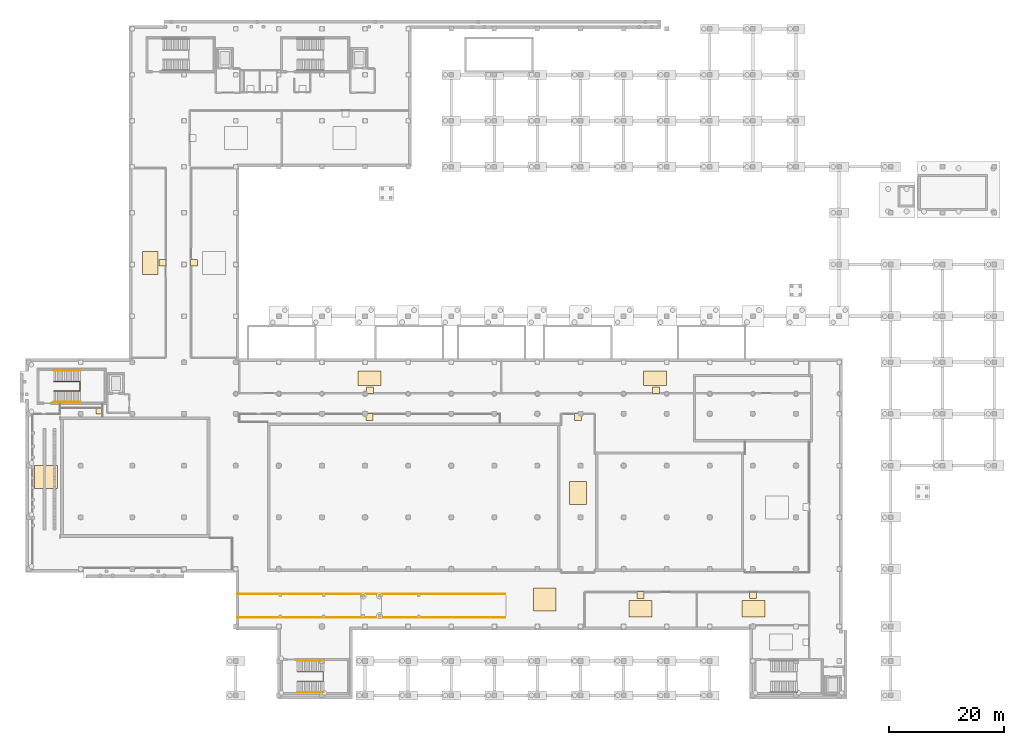
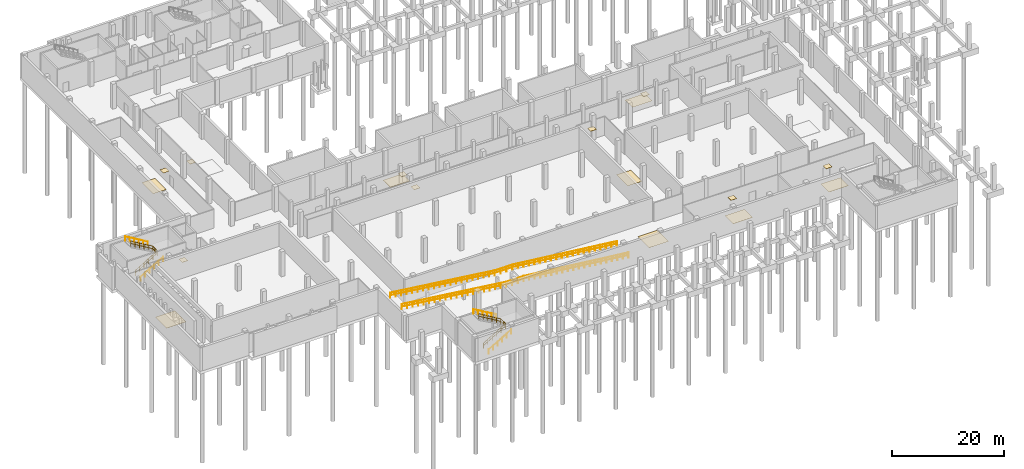
# One storey, part 17 of 19: 17 coverings, 8 railings.
"""IFC4 building model written with IfcOpenShell, lengths in metres."""

from ifc_helpers import new_model, si_unit, direction, frame, origin, origin_2d, place, context, subcontext, project, spatial, rectangle, circle, extrude, material, layer, layer_set, type_object, element, save


model = new_model("IFC4")

# Units and contexts
model_context = context("Model", 3, precision=1e-05, world=origin(), true_north=direction((0.0, 1.0)))
body_context = subcontext(model_context, "Body", "Model", "MODEL_VIEW")
ifc_project = project(units=[si_unit("LENGTHUNIT", "METRE"), si_unit("AREAUNIT", "SQUARE_METRE"), si_unit("VOLUMEUNIT", "CUBIC_METRE"), si_unit("PLANEANGLEUNIT", "RADIAN"), si_unit("MASSUNIT", "GRAM", prefix="KILO")], contexts=[model_context])

# Site, building, storey
site_placement = place(None, origin())
site = spatial("IfcSite", under=ifc_project, at=site_placement, CompositionType="ELEMENT")
building_placement = place(site_placement, origin())
building = spatial("IfcBuilding", under=site, at=building_placement, Name="Vourika Railside Aquatics Centre", CompositionType="ELEMENT")
storey_placement = place(building_placement, frame((0.0, 0.0, -5.39990234375)))
storey = spatial("IfcBuildingStorey", under=building, at=storey_placement, Name="B1", CompositionType="ELEMENT", Elevation=-5.39990234375)

# Coverings
ifc_material_1 = material(Name="Perforated moisture-resistant acoustic gypsum ceiling")
ifc_layer_1 = layer(ifc_material_1, 0.02490234375, Name="COV-CEIL-25")
ifc_layer_set_1 = layer_set([ifc_layer_1], Name="Perforated moisture-resistant acoustic gypsum ceiling")
covering_type_1 = type_object("IfcCoveringType", Name="COV-CEIL-25", PredefinedType="CEILING", material=ifc_layer_set_1)
for number, where, z_axis, x_axis, name in (
    (1, (106.449951171875, 17.47998046875, 2.637451171875), (0.0, 0.0, 1.0), (1.0, 0.0, 0.0), "Bunded Dosing Reagents and Chemical Store Acoustic Ceiling Panel"),
    (2, (126.0400390625, 17.47998046875, 2.637451171875), (0.0, 0.0, 1.0), (1.0, 0.0, 0.0), "Aquatic Maintenance Equipment Store Acoustic Ceiling Panel"),
    (3, (59.300048828125, 48.47998046875, 2.637451171875), (0.0, 0.0, 1.0), (1.0, 0.0, 0.0), "Competition Pool Sand and Ultrafiltration Hall Acoustic Ceiling Panel"),
    (4, (95.550048828125, 48.47998046875, 2.637451171875), (0.0, 0.0, 1.0), (1.0, 0.0, 0.0), "Ozone Reactors and UV Disinfection Plant Acoustic Ceiling Panel"),
    (5, (109.110107421875, 53.1201171875, 2.637451171875), (0.0, 0.0, 1.0), (1.0, 0.0, 0.0), "Natatorium Dehumidification AHU Plant East Acoustic Ceiling Panel"),
    (6, (59.360107421875, 53.1201171875, 2.637451171875), (0.0, 0.0, 1.0), (1.0, 0.0, 0.0), "Natatorium Dehumidification AHU Plant West Acoustic Ceiling Panel"),
    (7, (12.280029296875, 49.590087890625, 2.637451171875), (0.0, 0.0, 1.0), (1.0, 0.0, 0.0), "Diving Well Filtration and Balance Tank Hall Acoustic Ceiling Panel"),
    (8, (23.280029296875, 75.300048828125, 2.637451171875), (0.0, 0.0, 1.0), (1.0, 0.0, 0.0), "Heat Pump and Geothermal Recovery Plant Acoustic Ceiling Panel"),
    (9, (28.719970703125, 75.300048828125, 2.637451171875), (0.0, 0.0, 1.0), (1.0, 0.0, 0.0), "District Chiller and Condenser Recovery Hall Acoustic Ceiling Panel"),
):
    element("IfcCovering", number, at=place(storey_placement, frame(where, z_axis=z_axis, x_axis=x_axis)), inside=storey, type_object=covering_type_1, Name=name, PredefinedType="CEILING", context=body_context, shape_type="SweptSolid", body=[
        extrude(rectangle(XDim=1.199951171875, YDim=1.199951171875, at=origin_2d()), origin(), (0.0, 0.0, 1.0), 0.02490234375),
    ])
ifc_material_2 = material(Name="Slip-resistant aqua ceramic sports flooring")
ifc_layer_2 = layer(ifc_material_2, 0.02001953125, Name="COV-FLOR-20")
ifc_layer_set_2 = layer_set([ifc_layer_2], Name="Slip-resistant aqua ceramic sports flooring")
covering_type_2 = type_object("IfcCoveringType", Name="COV-FLOR-20", PredefinedType="FLOORING", material=ifc_layer_set_2)
covering_1_placement = place(storey_placement, frame((89.77490234375, 16.699951171875, 0.0), z_axis=(0.0, 0.0, 1.0), x_axis=(1.0, 0.0, 0.0)))
element("IfcCovering", 10, at=covering_1_placement, inside=storey, type_object=covering_type_2, Name="Service Delivery Bay and Turning Apron Sports Flooring Panel", PredefinedType="FLOORING", context=body_context, shape_type="SweptSolid", body=[
    extrude(rectangle(XDim=4.0, YDim=4.0, at=origin_2d()), origin(), (0.0, 0.0, 1.0), 0.02001953125),
])
for number, where, z_axis, x_axis, name in (
    (11, (106.449951171875, 15.10009765625, 0.0), (0.0, 0.0, 1.0), (1.0, 0.0, 0.0), "Bunded Dosing Reagents and Chemical Store Sports Flooring Panel"),
    (12, (126.10009765625, 15.10009765625, 0.0), (0.0, 0.0, 1.0), (1.0, 0.0, 0.0), "Aquatic Maintenance Equipment Store Sports Flooring Panel"),
):
    element("IfcCovering", number, at=place(storey_placement, frame(where, z_axis=z_axis, x_axis=x_axis)), inside=storey, type_object=covering_type_2, Name=name, PredefinedType="FLOORING", context=body_context, shape_type="SweptSolid", body=[
        extrude(rectangle(XDim=4.0, YDim=2.89990234375, at=origin_2d()), origin(), (0.0, 0.0, 1.0), 0.02001953125),
    ])
covering_2_placement = place(storey_placement, frame((95.550048828125, 35.199951171875, 0.0), z_axis=(0.0, 0.0, 1.0), x_axis=(1.0, 0.0, 0.0)))
element("IfcCovering", 13, at=covering_2_placement, inside=storey, type_object=covering_type_2, Name="Ozone Reactors and UV Disinfection Plant Sports Flooring Panel", PredefinedType="FLOORING", context=body_context, shape_type="SweptSolid", body=[
    extrude(rectangle(XDim=2.949951171875, YDim=4.0, at=origin_2d()), origin(), (0.0, 0.0, 1.0), 0.02001953125),
])
for number, where, z_axis, x_axis, name in (
    (14, (109.0, 55.199951171875, 0.0), (0.0, 0.0, 1.0), (1.0, 0.0, 0.0), "Natatorium Dehumidification AHU Plant East Sports Flooring Panel"),
    (15, (59.300048828125, 55.199951171875, 0.0), (0.0, 0.0, 1.0), (1.0, 0.0, 0.0), "Natatorium Dehumidification AHU Plant West Sports Flooring Panel"),
):
    element("IfcCovering", number, at=place(storey_placement, frame(where, z_axis=z_axis, x_axis=x_axis)), inside=storey, type_object=covering_type_2, Name=name, PredefinedType="FLOORING", context=body_context, shape_type="SweptSolid", body=[
        extrude(rectangle(XDim=4.0, YDim=2.60009765625, at=origin_2d()), origin(), (0.0, 0.0, 1.0), 0.02001953125),
    ])
covering_3_placement = place(storey_placement, frame((3.0, 38.0, 0.0), z_axis=(0.0, 0.0, 1.0), x_axis=(1.0, 0.0, 0.0)))
element("IfcCovering", 16, at=covering_3_placement, inside=storey, type_object=covering_type_2, Name="Diving Well Filtration and Balance Tank Hall Sports Flooring Panel", PredefinedType="FLOORING", context=body_context, shape_type="SweptSolid", body=[
    extrude(rectangle(XDim=4.0, YDim=4.0, at=origin_2d()), origin(), (0.0, 0.0, 1.0), 0.02001953125),
])
covering_4_placement = place(storey_placement, frame((21.10009765625, 75.300048828125, 0.0), z_axis=(0.0, 0.0, 1.0), x_axis=(1.0, 0.0, 0.0)))
element("IfcCovering", 17, at=covering_4_placement, inside=storey, type_object=covering_type_2, Name="Heat Pump and Geothermal Recovery Plant Sports Flooring Panel", PredefinedType="FLOORING", context=body_context, shape_type="SweptSolid", body=[
    extrude(rectangle(XDim=2.699951171875, YDim=4.0, at=origin_2d()), origin(), (0.0, 0.0, 1.0), 0.02001953125),
])

# Railings
ifc_material_3 = material(Name="Duplex stainless steel EN 1.4462", Category="steel")
railing_type_1 = type_object("IfcRailingType", Name="RL-BAL-STL", PredefinedType="BALUSTRADE", material=ifc_material_3)
railing_1_placement = place(storey_placement, frame((36.300048828125, 13.56005859375, 5.39990234375)))
element("IfcRailing", 18, at=railing_1_placement, inside=storey, type_object=railing_type_1, Name="Service Ramp Inline South Side Guard", PredefinedType="BALUSTRADE", context=body_context, shape_type="SweptSolid", body=[
    extrude(circle(Radius=0.02392578125, at=origin_2d()), frame((0.0, 0.0, 1.09619140625), z_axis=(0.992206994047, 0.0, -0.12460048541), x_axis=(0.0, 1.0, 0.0)), (0.0, 0.0, 1.0), 21.6689453125),
    extrude(circle(Radius=0.02392578125, at=origin_2d()), frame((0.0, 0.0, 0.56005859375), z_axis=(0.992206994047, 0.0, -0.12460048541), x_axis=(0.0, 1.0, 0.0)), (0.0, 0.0, 1.0), 21.6689453125),
    extrude(circle(Radius=0.02392578125, at=origin_2d()), frame((21.5, 0.0, -1.60400390625), z_axis=(1.0, 0.0, 0.0), x_axis=(0.0, 1.0, 0.0)), (0.0, 0.0, 1.0), 3.599853515625),
    extrude(circle(Radius=0.02392578125, at=origin_2d()), frame((21.5, 0.0, -2.139892578125), z_axis=(1.0, 0.0, 0.0), x_axis=(0.0, 1.0, 0.0)), (0.0, 0.0, 1.0), 3.599853515625),
    extrude(circle(Radius=0.02392578125, at=origin_2d()), frame((25.099853515625, 0.0, -1.60400390625), z_axis=(0.993724043196, 0.0, -0.111859402709), x_axis=(0.0, 1.0, 0.0)), (0.0, 0.0, 1.0), 21.6357421875),
    extrude(circle(Radius=0.02392578125, at=origin_2d()), frame((25.099853515625, 0.0, -2.139892578125), z_axis=(0.993724043196, 0.0, -0.111859402709), x_axis=(0.0, 1.0, 0.0)), (0.0, 0.0, 1.0), 21.6357421875),
    extrude(circle(Radius=0.02099609375, at=origin_2d()), origin(), (0.0, 0.0, 1.0), 1.072021484375),
    extrude(circle(Radius=0.02099609375, at=origin_2d()), frame((1.131591796875, 0.0, -0.14208984375)), (0.0, 0.0, 1.0), 1.072021484375),
    extrude(circle(Radius=0.02099609375, at=origin_2d()), frame((2.26318359375, 0.0, -0.2841796875)), (0.0, 0.0, 1.0), 1.072021484375),
    extrude(circle(Radius=0.02099609375, at=origin_2d()), frame((3.394775390625, 0.0, -0.42626953125)), (0.0, 0.0, 1.0), 1.072021484375),
    extrude(circle(Radius=0.02099609375, at=origin_2d()), frame((4.5263671875, 0.0, -0.568359375)), (0.0, 0.0, 1.0), 1.072021484375),
    extrude(circle(Radius=0.02099609375, at=origin_2d()), frame((5.657958984375, 0.0, -0.71044921875)), (0.0, 0.0, 1.0), 1.072021484375),
    extrude(circle(Radius=0.02099609375, at=origin_2d()), frame((6.78955078125, 0.0, -0.8525390625)), (0.0, 0.0, 1.0), 1.072021484375),
    extrude(circle(Radius=0.02099609375, at=origin_2d()), frame((7.921142578125, 0.0, -0.99462890625)), (0.0, 0.0, 1.0), 1.072021484375),
    extrude(circle(Radius=0.02099609375, at=origin_2d()), frame((9.052734375, 0.0, -1.13671875)), (0.0, 0.0, 1.0), 1.072021484375),
    extrude(circle(Radius=0.02099609375, at=origin_2d()), frame((10.184326171875, 0.0, -1.27880859375)), (0.0, 0.0, 1.0), 1.072021484375),
    extrude(circle(Radius=0.02099609375, at=origin_2d()), frame((11.315673828125, 0.0, -1.421142578125)), (0.0, 0.0, 1.0), 1.072021484375),
    extrude(circle(Radius=0.02099609375, at=origin_2d()), frame((12.447265625, 0.0, -1.563232421875)), (0.0, 0.0, 1.0), 1.072021484375),
    extrude(circle(Radius=0.02099609375, at=origin_2d()), frame((13.578857421875, 0.0, -1.705322265625)), (0.0, 0.0, 1.0), 1.072021484375),
    extrude(circle(Radius=0.02099609375, at=origin_2d()), frame((14.71044921875, 0.0, -1.847412109375)), (0.0, 0.0, 1.0), 1.072021484375),
    extrude(circle(Radius=0.02099609375, at=origin_2d()), frame((15.842041015625, 0.0, -1.989501953125)), (0.0, 0.0, 1.0), 1.072021484375),
    extrude(circle(Radius=0.02099609375, at=origin_2d()), frame((16.9736328125, 0.0, -2.131591796875)), (0.0, 0.0, 1.0), 1.072021484375),
    extrude(circle(Radius=0.02099609375, at=origin_2d()), frame((18.105224609375, 0.0, -2.273681640625)), (0.0, 0.0, 1.0), 1.072021484375),
    extrude(circle(Radius=0.02099609375, at=origin_2d()), frame((19.23681640625, 0.0, -2.415771484375)), (0.0, 0.0, 1.0), 1.072021484375),
    extrude(circle(Radius=0.02099609375, at=origin_2d()), frame((20.368408203125, 0.0, -2.557861328125)), (0.0, 0.0, 1.0), 1.072021484375),
    extrude(circle(Radius=0.02099609375, at=origin_2d()), frame((21.5, 0.0, -2.699951171875)), (0.0, 0.0, 1.0), 1.072021484375),
    extrude(circle(Radius=0.02099609375, at=origin_2d()), frame((22.699951171875, 0.0, -2.699951171875)), (0.0, 0.0, 1.0), 1.072021484375),
    extrude(circle(Radius=0.02099609375, at=origin_2d()), frame((23.89990234375, 0.0, -2.699951171875)), (0.0, 0.0, 1.0), 1.072021484375),
    extrude(circle(Radius=0.02099609375, at=origin_2d()), frame((25.099853515625, 0.0, -2.699951171875)), (0.0, 0.0, 1.0), 1.072021484375),
    extrude(circle(Radius=0.02099609375, at=origin_2d()), frame((26.2314453125, 0.0, -2.827392578125)), (0.0, 0.0, 1.0), 1.072021484375),
    extrude(circle(Radius=0.02099609375, at=origin_2d()), frame((27.363037109375, 0.0, -2.95458984375)), (0.0, 0.0, 1.0), 1.072021484375),
    extrude(circle(Radius=0.02099609375, at=origin_2d()), frame((28.49462890625, 0.0, -3.08203125)), (0.0, 0.0, 1.0), 1.072021484375),
    extrude(circle(Radius=0.02099609375, at=origin_2d()), frame((29.626220703125, 0.0, -3.20947265625)), (0.0, 0.0, 1.0), 1.072021484375),
    extrude(circle(Radius=0.02099609375, at=origin_2d()), frame((30.7578125, 0.0, -3.3369140625)), (0.0, 0.0, 1.0), 1.072021484375),
    extrude(circle(Radius=0.02099609375, at=origin_2d()), frame((31.889404296875, 0.0, -3.464111328125)), (0.0, 0.0, 1.0), 1.072021484375),
    extrude(circle(Radius=0.02099609375, at=origin_2d()), frame((33.02099609375, 0.0, -3.591552734375)), (0.0, 0.0, 1.0), 1.072021484375),
    extrude(circle(Radius=0.02099609375, at=origin_2d()), frame((34.152587890625, 0.0, -3.718994140625)), (0.0, 0.0, 1.0), 1.072021484375),
    extrude(circle(Radius=0.02099609375, at=origin_2d()), frame((35.2841796875, 0.0, -3.846435546875)), (0.0, 0.0, 1.0), 1.072021484375),
    extrude(circle(Radius=0.02099609375, at=origin_2d()), frame((36.41552734375, 0.0, -3.9736328125)), (0.0, 0.0, 1.0), 1.072021484375),
    extrude(circle(Radius=0.02099609375, at=origin_2d()), frame((37.547119140625, 0.0, -4.10107421875)), (0.0, 0.0, 1.0), 1.072021484375),
    extrude(circle(Radius=0.02099609375, at=origin_2d()), frame((38.6787109375, 0.0, -4.228515625)), (0.0, 0.0, 1.0), 1.072021484375),
    extrude(circle(Radius=0.02099609375, at=origin_2d()), frame((39.810302734375, 0.0, -4.35595703125)), (0.0, 0.0, 1.0), 1.072021484375),
    extrude(circle(Radius=0.02099609375, at=origin_2d()), frame((40.94189453125, 0.0, -4.483154296875)), (0.0, 0.0, 1.0), 1.072021484375),
    extrude(circle(Radius=0.02099609375, at=origin_2d()), frame((42.073486328125, 0.0, -4.610595703125)), (0.0, 0.0, 1.0), 1.072021484375),
    extrude(circle(Radius=0.02099609375, at=origin_2d()), frame((43.205078125, 0.0, -4.738037109375)), (0.0, 0.0, 1.0), 1.072021484375),
    extrude(circle(Radius=0.02099609375, at=origin_2d()), frame((44.336669921875, 0.0, -4.865478515625)), (0.0, 0.0, 1.0), 1.072021484375),
    extrude(circle(Radius=0.02099609375, at=origin_2d()), frame((45.46826171875, 0.0, -4.99267578125)), (0.0, 0.0, 1.0), 1.072021484375),
    extrude(circle(Radius=0.02099609375, at=origin_2d()), frame((46.599853515625, 0.0, -5.1201171875)), (0.0, 0.0, 1.0), 1.072021484375),
])
railing_2_placement = place(storey_placement, frame((36.300048828125, 17.639892578125, 5.39990234375)))
element("IfcRailing", 19, at=railing_2_placement, inside=storey, type_object=railing_type_1, Name="Service Ramp Inline North Side Guard", PredefinedType="BALUSTRADE", context=body_context, shape_type="SweptSolid", body=[
    extrude(circle(Radius=0.02392578125, at=origin_2d()), frame((0.0, 0.0, 1.09619140625), z_axis=(0.992206994047, 0.0, -0.12460048541), x_axis=(0.0, 1.0, 0.0)), (0.0, 0.0, 1.0), 21.6689453125),
    extrude(circle(Radius=0.02392578125, at=origin_2d()), frame((0.0, 0.0, 0.56005859375), z_axis=(0.992206994047, 0.0, -0.12460048541), x_axis=(0.0, 1.0, 0.0)), (0.0, 0.0, 1.0), 21.6689453125),
    extrude(circle(Radius=0.02392578125, at=origin_2d()), frame((21.5, 0.0, -1.60400390625), z_axis=(1.0, 0.0, 0.0), x_axis=(0.0, 1.0, 0.0)), (0.0, 0.0, 1.0), 3.599853515625),
    extrude(circle(Radius=0.02392578125, at=origin_2d()), frame((21.5, 0.0, -2.139892578125), z_axis=(1.0, 0.0, 0.0), x_axis=(0.0, 1.0, 0.0)), (0.0, 0.0, 1.0), 3.599853515625),
    extrude(circle(Radius=0.02392578125, at=origin_2d()), frame((25.099853515625, 0.0, -1.60400390625), z_axis=(0.993724043196, 0.0, -0.111859402709), x_axis=(0.0, 1.0, 0.0)), (0.0, 0.0, 1.0), 21.6357421875),
    extrude(circle(Radius=0.02392578125, at=origin_2d()), frame((25.099853515625, 0.0, -2.139892578125), z_axis=(0.993724043196, 0.0, -0.111859402709), x_axis=(0.0, 1.0, 0.0)), (0.0, 0.0, 1.0), 21.6357421875),
    extrude(circle(Radius=0.02099609375, at=origin_2d()), origin(), (0.0, 0.0, 1.0), 1.072021484375),
    extrude(circle(Radius=0.02099609375, at=origin_2d()), frame((1.131591796875, 0.0, -0.14208984375)), (0.0, 0.0, 1.0), 1.072021484375),
    extrude(circle(Radius=0.02099609375, at=origin_2d()), frame((2.26318359375, 0.0, -0.2841796875)), (0.0, 0.0, 1.0), 1.072021484375),
    extrude(circle(Radius=0.02099609375, at=origin_2d()), frame((3.394775390625, 0.0, -0.42626953125)), (0.0, 0.0, 1.0), 1.072021484375),
    extrude(circle(Radius=0.02099609375, at=origin_2d()), frame((4.5263671875, 0.0, -0.568359375)), (0.0, 0.0, 1.0), 1.072021484375),
    extrude(circle(Radius=0.02099609375, at=origin_2d()), frame((5.657958984375, 0.0, -0.71044921875)), (0.0, 0.0, 1.0), 1.072021484375),
    extrude(circle(Radius=0.02099609375, at=origin_2d()), frame((6.78955078125, 0.0, -0.8525390625)), (0.0, 0.0, 1.0), 1.072021484375),
    extrude(circle(Radius=0.02099609375, at=origin_2d()), frame((7.921142578125, 0.0, -0.99462890625)), (0.0, 0.0, 1.0), 1.072021484375),
    extrude(circle(Radius=0.02099609375, at=origin_2d()), frame((9.052734375, 0.0, -1.13671875)), (0.0, 0.0, 1.0), 1.072021484375),
    extrude(circle(Radius=0.02099609375, at=origin_2d()), frame((10.184326171875, 0.0, -1.27880859375)), (0.0, 0.0, 1.0), 1.072021484375),
    extrude(circle(Radius=0.02099609375, at=origin_2d()), frame((11.315673828125, 0.0, -1.421142578125)), (0.0, 0.0, 1.0), 1.072021484375),
    extrude(circle(Radius=0.02099609375, at=origin_2d()), frame((12.447265625, 0.0, -1.563232421875)), (0.0, 0.0, 1.0), 1.072021484375),
    extrude(circle(Radius=0.02099609375, at=origin_2d()), frame((13.578857421875, 0.0, -1.705322265625)), (0.0, 0.0, 1.0), 1.072021484375),
    extrude(circle(Radius=0.02099609375, at=origin_2d()), frame((14.71044921875, 0.0, -1.847412109375)), (0.0, 0.0, 1.0), 1.072021484375),
    extrude(circle(Radius=0.02099609375, at=origin_2d()), frame((15.842041015625, 0.0, -1.989501953125)), (0.0, 0.0, 1.0), 1.072021484375),
    extrude(circle(Radius=0.02099609375, at=origin_2d()), frame((16.9736328125, 0.0, -2.131591796875)), (0.0, 0.0, 1.0), 1.072021484375),
    extrude(circle(Radius=0.02099609375, at=origin_2d()), frame((18.105224609375, 0.0, -2.273681640625)), (0.0, 0.0, 1.0), 1.072021484375),
    extrude(circle(Radius=0.02099609375, at=origin_2d()), frame((19.23681640625, 0.0, -2.415771484375)), (0.0, 0.0, 1.0), 1.072021484375),
    extrude(circle(Radius=0.02099609375, at=origin_2d()), frame((20.368408203125, 0.0, -2.557861328125)), (0.0, 0.0, 1.0), 1.072021484375),
    extrude(circle(Radius=0.02099609375, at=origin_2d()), frame((21.5, 0.0, -2.699951171875)), (0.0, 0.0, 1.0), 1.072021484375),
    extrude(circle(Radius=0.02099609375, at=origin_2d()), frame((22.699951171875, 0.0, -2.699951171875)), (0.0, 0.0, 1.0), 1.072021484375),
    extrude(circle(Radius=0.02099609375, at=origin_2d()), frame((23.89990234375, 0.0, -2.699951171875)), (0.0, 0.0, 1.0), 1.072021484375),
    extrude(circle(Radius=0.02099609375, at=origin_2d()), frame((25.099853515625, 0.0, -2.699951171875)), (0.0, 0.0, 1.0), 1.072021484375),
    extrude(circle(Radius=0.02099609375, at=origin_2d()), frame((26.2314453125, 0.0, -2.827392578125)), (0.0, 0.0, 1.0), 1.072021484375),
    extrude(circle(Radius=0.02099609375, at=origin_2d()), frame((27.363037109375, 0.0, -2.95458984375)), (0.0, 0.0, 1.0), 1.072021484375),
    extrude(circle(Radius=0.02099609375, at=origin_2d()), frame((28.49462890625, 0.0, -3.08203125)), (0.0, 0.0, 1.0), 1.072021484375),
    extrude(circle(Radius=0.02099609375, at=origin_2d()), frame((29.626220703125, 0.0, -3.20947265625)), (0.0, 0.0, 1.0), 1.072021484375),
    extrude(circle(Radius=0.02099609375, at=origin_2d()), frame((30.7578125, 0.0, -3.3369140625)), (0.0, 0.0, 1.0), 1.072021484375),
    extrude(circle(Radius=0.02099609375, at=origin_2d()), frame((31.889404296875, 0.0, -3.464111328125)), (0.0, 0.0, 1.0), 1.072021484375),
    extrude(circle(Radius=0.02099609375, at=origin_2d()), frame((33.02099609375, 0.0, -3.591552734375)), (0.0, 0.0, 1.0), 1.072021484375),
    extrude(circle(Radius=0.02099609375, at=origin_2d()), frame((34.152587890625, 0.0, -3.718994140625)), (0.0, 0.0, 1.0), 1.072021484375),
    extrude(circle(Radius=0.02099609375, at=origin_2d()), frame((35.2841796875, 0.0, -3.846435546875)), (0.0, 0.0, 1.0), 1.072021484375),
    extrude(circle(Radius=0.02099609375, at=origin_2d()), frame((36.41552734375, 0.0, -3.9736328125)), (0.0, 0.0, 1.0), 1.072021484375),
    extrude(circle(Radius=0.02099609375, at=origin_2d()), frame((37.547119140625, 0.0, -4.10107421875)), (0.0, 0.0, 1.0), 1.072021484375),
    extrude(circle(Radius=0.02099609375, at=origin_2d()), frame((38.6787109375, 0.0, -4.228515625)), (0.0, 0.0, 1.0), 1.072021484375),
    extrude(circle(Radius=0.02099609375, at=origin_2d()), frame((39.810302734375, 0.0, -4.35595703125)), (0.0, 0.0, 1.0), 1.072021484375),
    extrude(circle(Radius=0.02099609375, at=origin_2d()), frame((40.94189453125, 0.0, -4.483154296875)), (0.0, 0.0, 1.0), 1.072021484375),
    extrude(circle(Radius=0.02099609375, at=origin_2d()), frame((42.073486328125, 0.0, -4.610595703125)), (0.0, 0.0, 1.0), 1.072021484375),
    extrude(circle(Radius=0.02099609375, at=origin_2d()), frame((43.205078125, 0.0, -4.738037109375)), (0.0, 0.0, 1.0), 1.072021484375),
    extrude(circle(Radius=0.02099609375, at=origin_2d()), frame((44.336669921875, 0.0, -4.865478515625)), (0.0, 0.0, 1.0), 1.072021484375),
    extrude(circle(Radius=0.02099609375, at=origin_2d()), frame((45.46826171875, 0.0, -4.99267578125)), (0.0, 0.0, 1.0), 1.072021484375),
    extrude(circle(Radius=0.02099609375, at=origin_2d()), frame((46.599853515625, 0.0, -5.1201171875)), (0.0, 0.0, 1.0), 1.072021484375),
])
railing_type_2 = type_object("IfcRailingType", Name="RL-HAND-920", PredefinedType="HANDRAIL", material=ifc_material_3)
railing_3_placement = place(storey_placement, frame((4.35009765625, 51.06005859375, 0.0)))
element("IfcRailing", 20, at=railing_3_placement, inside=storey, type_object=railing_type_2, Name="Protected Exit Stair Core ST04 Lower Wall Handrail (B1)", PredefinedType="HANDRAIL", context=body_context, shape_type="SweptSolid", body=[
    extrude(circle(Radius=0.02392578125, at=origin_2d()), frame((0.0, 0.0, 0.89599609375), z_axis=(0.863369879101, 0.0, 0.504571552766), x_axis=(0.0, 1.0, 0.0)), (0.0, 0.0, 1.0), 5.35107421875),
    extrude(circle(Radius=0.02099609375, at=origin_2d()), origin(), (0.0, 0.0, 1.0), 0.871826171875),
    extrude(circle(Radius=0.02099609375, at=origin_2d()), frame((0.924072265625, 0.0, 0.5400390625)), (0.0, 0.0, 1.0), 0.871826171875),
    extrude(circle(Radius=0.02099609375, at=origin_2d()), frame((1.847900390625, 0.0, 1.080078125)), (0.0, 0.0, 1.0), 0.871826171875),
    extrude(circle(Radius=0.02099609375, at=origin_2d()), frame((2.77197265625, 0.0, 1.619873046875)), (0.0, 0.0, 1.0), 0.871826171875),
    extrude(circle(Radius=0.02099609375, at=origin_2d()), frame((3.69580078125, 0.0, 2.159912109375)), (0.0, 0.0, 1.0), 0.871826171875),
    extrude(circle(Radius=0.02099609375, at=origin_2d()), frame((4.619873046875, 0.0, 2.699951171875)), (0.0, 0.0, 1.0), 0.871826171875),
])
railing_4_placement = place(storey_placement, frame((8.969970703125, 56.5400390625, 2.699951171875)))
element("IfcRailing", 21, at=railing_4_placement, inside=storey, type_object=railing_type_2, Name="Protected Exit Stair Core ST04 Upper Wall Handrail (B1)", PredefinedType="HANDRAIL", context=body_context, shape_type="SweptSolid", body=[
    extrude(circle(Radius=0.02392578125, at=origin_2d()), frame((0.0, 0.0, 0.89599609375), z_axis=(-0.863369879101, 0.0, 0.504571552766), x_axis=(0.0, -1.0, 0.0)), (0.0, 0.0, 1.0), 5.35107421875),
    extrude(circle(Radius=0.02099609375, at=origin_2d()), origin(), (0.0, 0.0, 1.0), 0.871826171875),
    extrude(circle(Radius=0.02099609375, at=origin_2d()), frame((-0.924072265625, 0.0, 0.5400390625)), (0.0, 0.0, 1.0), 0.871826171875),
    extrude(circle(Radius=0.02099609375, at=origin_2d()), frame((-1.847900390625, 0.0, 1.080078125)), (0.0, 0.0, 1.0), 0.871826171875),
    extrude(circle(Radius=0.02099609375, at=origin_2d()), frame((-2.77197265625, 0.0, 1.619873046875)), (0.0, 0.0, 1.0), 0.871826171875),
    extrude(circle(Radius=0.02099609375, at=origin_2d()), frame((-3.69580078125, 0.0, 2.159912109375)), (0.0, 0.0, 1.0), 0.871826171875),
    extrude(circle(Radius=0.02099609375, at=origin_2d()), frame((-4.619873046875, 0.0, 2.699951171875)), (0.0, 0.0, 1.0), 0.871826171875),
])
railing_5_placement = place(storey_placement, frame((46.699951171875, 0.56005859375, 0.0)))
element("IfcRailing", 22, at=railing_5_placement, inside=storey, type_object=railing_type_2, Name="Protected Exit Stair Core ST11 Lower Wall Handrail (B1)", PredefinedType="HANDRAIL", context=body_context, shape_type="SweptSolid", body=[
    extrude(circle(Radius=0.02392578125, at=origin_2d()), frame((0.0, 0.0, 0.89599609375), z_axis=(0.863381494303, 0.0, 0.504551677526), x_axis=(0.0, 1.0, 0.0)), (0.0, 0.0, 1.0), 5.35107421875),
    extrude(circle(Radius=0.02099609375, at=origin_2d()), origin(), (0.0, 0.0, 1.0), 0.871826171875),
    extrude(circle(Radius=0.02099609375, at=origin_2d()), frame((0.924072265625, 0.0, 0.5400390625)), (0.0, 0.0, 1.0), 0.871826171875),
    extrude(circle(Radius=0.02099609375, at=origin_2d()), frame((1.84814453125, 0.0, 1.080078125)), (0.0, 0.0, 1.0), 0.871826171875),
    extrude(circle(Radius=0.02099609375, at=origin_2d()), frame((2.77197265625, 0.0, 1.619873046875)), (0.0, 0.0, 1.0), 0.871826171875),
    extrude(circle(Radius=0.02099609375, at=origin_2d()), frame((3.696044921875, 0.0, 2.159912109375)), (0.0, 0.0, 1.0), 0.871826171875),
    extrude(circle(Radius=0.02099609375, at=origin_2d()), frame((4.6201171875, 0.0, 2.699951171875)), (0.0, 0.0, 1.0), 0.871826171875),
])
railing_6_placement = place(storey_placement, frame((51.320068359375, 6.0400390625, 2.699951171875)))
element("IfcRailing", 23, at=railing_6_placement, inside=storey, type_object=railing_type_2, Name="Protected Exit Stair Core ST11 Upper Wall Handrail (B1)", PredefinedType="HANDRAIL", context=body_context, shape_type="SweptSolid", body=[
    extrude(circle(Radius=0.02392578125, at=origin_2d()), frame((0.0, 0.0, 0.89599609375), z_axis=(-0.863381494303, 0.0, 0.504551677526), x_axis=(0.0, -1.0, 0.0)), (0.0, 0.0, 1.0), 5.35107421875),
    extrude(circle(Radius=0.02099609375, at=origin_2d()), origin(), (0.0, 0.0, 1.0), 0.871826171875),
    extrude(circle(Radius=0.02099609375, at=origin_2d()), frame((-0.924072265625, 0.0, 0.5400390625)), (0.0, 0.0, 1.0), 0.871826171875),
    extrude(circle(Radius=0.02099609375, at=origin_2d()), frame((-1.84814453125, 0.0, 1.080078125)), (0.0, 0.0, 1.0), 0.871826171875),
    extrude(circle(Radius=0.02099609375, at=origin_2d()), frame((-2.77197265625, 0.0, 1.619873046875)), (0.0, 0.0, 1.0), 0.871826171875),
    extrude(circle(Radius=0.02099609375, at=origin_2d()), frame((-3.696044921875, 0.0, 2.159912109375)), (0.0, 0.0, 1.0), 0.871826171875),
    extrude(circle(Radius=0.02099609375, at=origin_2d()), frame((-4.6201171875, 0.0, 2.699951171875)), (0.0, 0.0, 1.0), 0.871826171875),
])
railing_type_3 = type_object("IfcRailingType", Name="RL-STAIR-1120", PredefinedType="BALUSTRADE", material=ifc_material_3)
railing_7_placement = place(storey_placement, frame((4.35009765625, 52.97998046875, 0.0)))
element("IfcRailing", 24, at=railing_7_placement, inside=storey, type_object=railing_type_3, Name="Protected Exit Stair Core ST04 Center Well Guard (B1)", PredefinedType="BALUSTRADE", context=body_context, shape_type="SweptSolid", body=[
    extrude(circle(Radius=0.02392578125, at=origin_2d()), frame((0.0, 0.0, 1.09619140625), z_axis=(0.858501873767, 0.0, 0.512810425731), x_axis=(0.0, 1.0, 0.0)), (0.0, 0.0, 1.0), 5.264892578125),
    extrude(circle(Radius=0.02392578125, at=origin_2d()), frame((0.0, 0.0, 0.56005859375), z_axis=(0.858501873767, 0.0, 0.512810425731), x_axis=(0.0, 1.0, 0.0)), (0.0, 0.0, 1.0), 5.264892578125),
    extrude(circle(Radius=0.02392578125, at=origin_2d()), frame((4.52001953125, 0.0, 3.7958984375), z_axis=(0.0, 1.0, 0.0), x_axis=(-1.0, 0.0, 0.0)), (0.0, 0.0, 1.0), 1.64013671875),
    extrude(circle(Radius=0.02392578125, at=origin_2d()), frame((4.52001953125, 0.0, 3.260009765625), z_axis=(0.0, 1.0, 0.0), x_axis=(-1.0, 0.0, 0.0)), (0.0, 0.0, 1.0), 1.64013671875),
    extrude(circle(Radius=0.02392578125, at=origin_2d()), frame((4.52001953125, 1.64013671875, 3.7958984375), z_axis=(-0.858501873767, 0.0, 0.512810425731), x_axis=(0.0, -1.0, 0.0)), (0.0, 0.0, 1.0), 5.264892578125),
    extrude(circle(Radius=0.02392578125, at=origin_2d()), frame((4.52001953125, 1.64013671875, 3.260009765625), z_axis=(-0.858501873767, 0.0, 0.512810425731), x_axis=(0.0, -1.0, 0.0)), (0.0, 0.0, 1.0), 5.264892578125),
    extrude(circle(Radius=0.02099609375, at=origin_2d()), origin(), (0.0, 0.0, 1.0), 1.072021484375),
    extrude(circle(Radius=0.02099609375, at=origin_2d()), frame((0.904052734375, 0.0, 0.5400390625)), (0.0, 0.0, 1.0), 1.072021484375),
    extrude(circle(Radius=0.02099609375, at=origin_2d()), frame((1.80810546875, 0.0, 1.080078125)), (0.0, 0.0, 1.0), 1.072021484375),
    extrude(circle(Radius=0.02099609375, at=origin_2d()), frame((2.7119140625, 0.0, 1.619873046875)), (0.0, 0.0, 1.0), 1.072021484375),
    extrude(circle(Radius=0.02099609375, at=origin_2d()), frame((3.615966796875, 0.0, 2.159912109375)), (0.0, 0.0, 1.0), 1.072021484375),
    extrude(circle(Radius=0.02099609375, at=origin_2d()), frame((4.52001953125, 0.0, 2.699951171875)), (0.0, 0.0, 1.0), 1.072021484375),
    extrude(circle(Radius=0.02099609375, at=origin_2d()), frame((4.52001953125, 0.820068359375, 2.699951171875)), (0.0, 0.0, 1.0), 1.072021484375),
    extrude(circle(Radius=0.02099609375, at=origin_2d()), frame((4.52001953125, 1.64013671875, 2.699951171875)), (0.0, 0.0, 1.0), 1.072021484375),
    extrude(circle(Radius=0.02099609375, at=origin_2d()), frame((3.615966796875, 1.64013671875, 3.239990234375)), (0.0, 0.0, 1.0), 1.072021484375),
    extrude(circle(Radius=0.02099609375, at=origin_2d()), frame((2.7119140625, 1.64013671875, 3.780029296875)), (0.0, 0.0, 1.0), 1.072021484375),
    extrude(circle(Radius=0.02099609375, at=origin_2d()), frame((1.80810546875, 1.64013671875, 4.31982421875)), (0.0, 0.0, 1.0), 1.072021484375),
    extrude(circle(Radius=0.02099609375, at=origin_2d()), frame((0.904052734375, 1.64013671875, 4.85986328125)), (0.0, 0.0, 1.0), 1.072021484375),
    extrude(circle(Radius=0.02099609375, at=origin_2d()), frame((0.0, 1.64013671875, 5.39990234375)), (0.0, 0.0, 1.0), 1.072021484375),
])
railing_8_placement = place(storey_placement, frame((46.699951171875, 2.47998046875, 0.0)))
element("IfcRailing", 25, at=railing_8_placement, inside=storey, type_object=railing_type_3, Name="Protected Exit Stair Core ST11 Center Well Guard (B1)", PredefinedType="BALUSTRADE", context=body_context, shape_type="SweptSolid", body=[
    extrude(circle(Radius=0.02392578125, at=origin_2d()), frame((0.0, 0.0, 1.09619140625), z_axis=(0.858501873767, 0.0, 0.512810425731), x_axis=(0.0, 1.0, 0.0)), (0.0, 0.0, 1.0), 5.264892578125),
    extrude(circle(Radius=0.02392578125, at=origin_2d()), frame((0.0, 0.0, 0.56005859375), z_axis=(0.858501873767, 0.0, 0.512810425731), x_axis=(0.0, 1.0, 0.0)), (0.0, 0.0, 1.0), 5.264892578125),
    extrude(circle(Radius=0.02392578125, at=origin_2d()), frame((4.52001953125, 0.0, 3.7958984375), z_axis=(0.0, 1.0, 0.0), x_axis=(-1.0, 0.0, 0.0)), (0.0, 0.0, 1.0), 1.64013671875),
    extrude(circle(Radius=0.02392578125, at=origin_2d()), frame((4.52001953125, 0.0, 3.260009765625), z_axis=(0.0, 1.0, 0.0), x_axis=(-1.0, 0.0, 0.0)), (0.0, 0.0, 1.0), 1.64013671875),
    extrude(circle(Radius=0.02392578125, at=origin_2d()), frame((4.52001953125, 1.64013671875, 3.7958984375), z_axis=(-0.858501873767, 0.0, 0.512810425731), x_axis=(0.0, -1.0, 0.0)), (0.0, 0.0, 1.0), 5.264892578125),
    extrude(circle(Radius=0.02392578125, at=origin_2d()), frame((4.52001953125, 1.64013671875, 3.260009765625), z_axis=(-0.858501873767, 0.0, 0.512810425731), x_axis=(0.0, -1.0, 0.0)), (0.0, 0.0, 1.0), 5.264892578125),
    extrude(circle(Radius=0.02099609375, at=origin_2d()), origin(), (0.0, 0.0, 1.0), 1.072021484375),
    extrude(circle(Radius=0.02099609375, at=origin_2d()), frame((0.904052734375, 0.0, 0.5400390625)), (0.0, 0.0, 1.0), 1.072021484375),
    extrude(circle(Radius=0.02099609375, at=origin_2d()), frame((1.80810546875, 0.0, 1.080078125)), (0.0, 0.0, 1.0), 1.072021484375),
    extrude(circle(Radius=0.02099609375, at=origin_2d()), frame((2.7119140625, 0.0, 1.619873046875)), (0.0, 0.0, 1.0), 1.072021484375),
    extrude(circle(Radius=0.02099609375, at=origin_2d()), frame((3.615966796875, 0.0, 2.159912109375)), (0.0, 0.0, 1.0), 1.072021484375),
    extrude(circle(Radius=0.02099609375, at=origin_2d()), frame((4.52001953125, 0.0, 2.699951171875)), (0.0, 0.0, 1.0), 1.072021484375),
    extrude(circle(Radius=0.02099609375, at=origin_2d()), frame((4.52001953125, 0.820068359375, 2.699951171875)), (0.0, 0.0, 1.0), 1.072021484375),
    extrude(circle(Radius=0.02099609375, at=origin_2d()), frame((4.52001953125, 1.64013671875, 2.699951171875)), (0.0, 0.0, 1.0), 1.072021484375),
    extrude(circle(Radius=0.02099609375, at=origin_2d()), frame((3.615966796875, 1.64013671875, 3.239990234375)), (0.0, 0.0, 1.0), 1.072021484375),
    extrude(circle(Radius=0.02099609375, at=origin_2d()), frame((2.7119140625, 1.64013671875, 3.780029296875)), (0.0, 0.0, 1.0), 1.072021484375),
    extrude(circle(Radius=0.02099609375, at=origin_2d()), frame((1.80810546875, 1.64013671875, 4.31982421875)), (0.0, 0.0, 1.0), 1.072021484375),
    extrude(circle(Radius=0.02099609375, at=origin_2d()), frame((0.904052734375, 1.64013671875, 4.85986328125)), (0.0, 0.0, 1.0), 1.072021484375),
    extrude(circle(Radius=0.02099609375, at=origin_2d()), frame((0.0, 1.64013671875, 5.39990234375)), (0.0, 0.0, 1.0), 1.072021484375),
])

save(model, "model.ifc")
